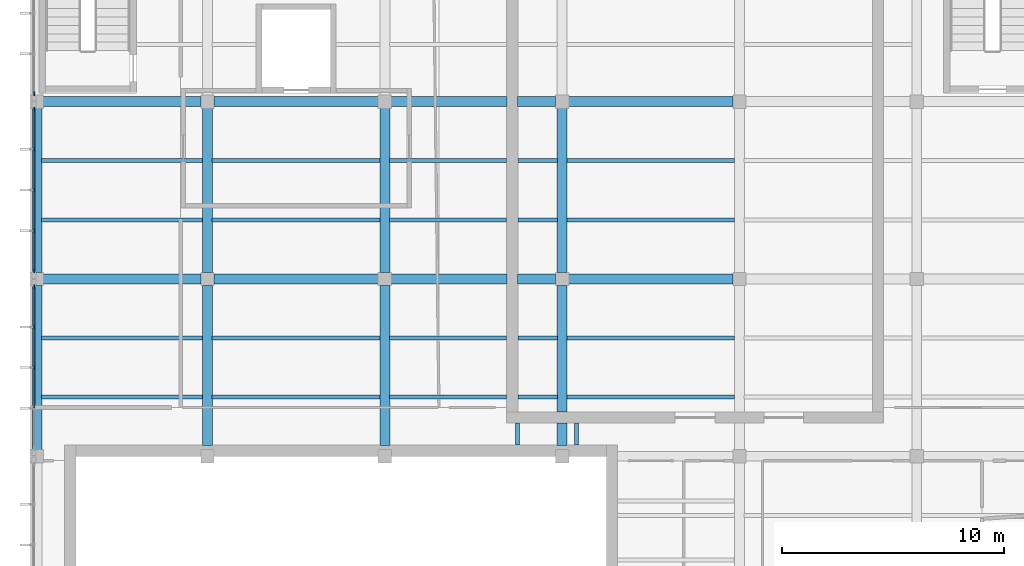
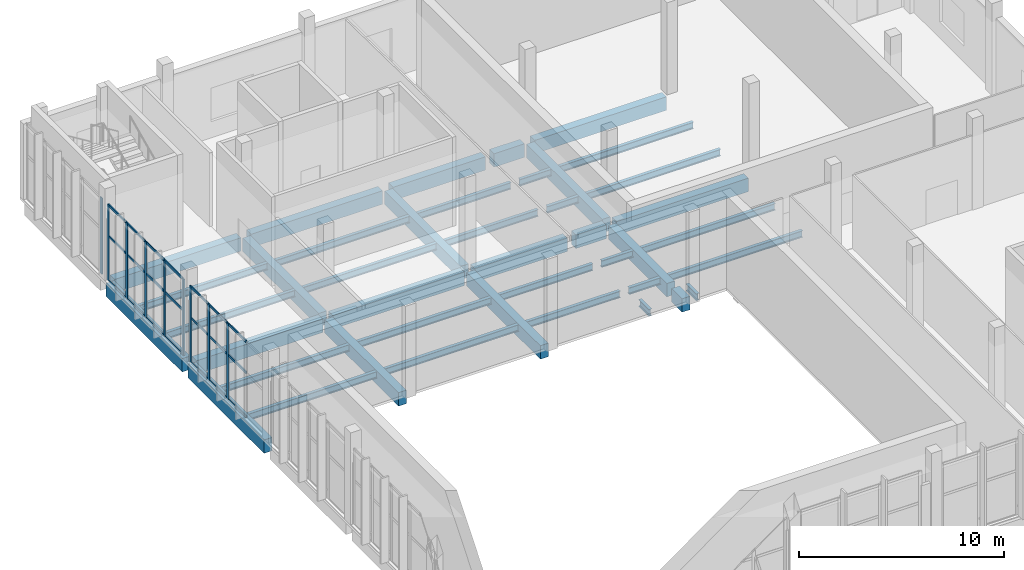
# One storey, part 18 of 112: 41 beams, 30 members, 3 elements without a shape of their own.
"""IFC4 building model written with IfcOpenShell, lengths in metres."""

import ifcopenshell
import ifcopenshell.guid

model = None  # the IFC model being written
_history = None  # IfcOwnerHistory: only IFC2X3 demands one
_inside = {}  # id of a spatial element -> (the spatial element, [elements in it])
_under = {}  # id of a project, library or spatial element -> (it, [spatial elements below it])
_declared = {}  # id of a project -> (the project, [libraries it declares])
_typed = {}  # id of a type object -> (the type object, [elements of that type])
_made_of = {}  # id of a material, layer set ... -> (it, [elements and type objects made of it])


def new_model(schema):
    """Start an empty IFC model of exactly this schema.

    Asked for "IFC4X3", IfcOpenShell would pick the latest addendum, in which some entities
    have other attributes; the version numbers below select the first issue.
    IFC2X3 requires an IfcOwnerHistory on every rooted entity: one is made here for all.
    """
    global model, _history
    if schema == "IFC4X3":
        model = ifcopenshell.file(schema_version=(4, 3, 0, 0))
    else:
        model = ifcopenshell.file(schema=schema)
    _inside.clear()
    _under.clear()
    _declared.clear()
    _typed.clear()
    _made_of.clear()
    _history = None
    if model.schema == "IFC2X3":
        org = make("IfcOrganization", Name="unknown")
        user = make(
            "IfcPersonAndOrganization",
            ThePerson=make("IfcPerson", FamilyName="unknown"),
            TheOrganization=org,
        )
        app = make(
            "IfcApplication",
            ApplicationDeveloper=org,
            Version="unknown",
            ApplicationFullName="unknown",
            ApplicationIdentifier="unknown",
        )
        _history = make(
            "IfcOwnerHistory",
            OwningUser=user,
            OwningApplication=app,
            ChangeAction="ADDED",
            CreationDate=0,
        )
    return model


def make(cls, **values):
    """One entity of the class cls with the attributes given. An attribute that is None is left unset."""
    return model.create_entity(
        cls, **{name: value for name, value in values.items() if value is not None}
    )


def rooted(cls, **values):
    """An entity with a GlobalId (a new one), such as an element, a storey or a relation."""
    return make(cls, GlobalId=ifcopenshell.guid.new(), OwnerHistory=_history, **values)


def si_unit(unit_type, name, prefix=None):
    """IfcSIUnit, for example si_unit("LENGTHUNIT", "METRE", prefix="MILLI")."""
    return make("IfcSIUnit", UnitType=unit_type, Prefix=prefix, Name=name)


def assignment(units):
    """IfcUnitAssignment: the units of a project."""
    return None if units is None else make("IfcUnitAssignment", Units=units)


def point(xyz):
    """IfcCartesianPoint."""
    return None if xyz is None else make("IfcCartesianPoint", Coordinates=xyz)


def direction(xyz):
    """IfcDirection."""
    return None if xyz is None else make("IfcDirection", DirectionRatios=xyz)


def frame(location, z_axis=None, x_axis=None):
    """IfcAxis2Placement3D, a coordinate frame: its origin and axes. An axis left out is left unset."""
    return make(
        "IfcAxis2Placement3D",
        Location=point(location),
        Axis=direction(z_axis),
        RefDirection=direction(x_axis),
    )


def frame_2d(location, x_axis=None):
    """IfcAxis2Placement2D, a coordinate frame in the plane: its origin and x axis."""
    return make(
        "IfcAxis2Placement2D", Location=point(location), RefDirection=direction(x_axis)
    )


def origin():
    """The frame at (0, 0, 0) with its axes left unset."""
    return frame((0.0, 0.0, 0.0))


def origin_2d():
    """The frame at (0, 0) in the plane with its x axis left unset."""
    return frame_2d((0.0, 0.0))


def place(relative_to, where):
    """IfcLocalPlacement: puts the frame where relative to a parent placement (None: the world)."""
    return make(
        "IfcLocalPlacement", PlacementRelTo=relative_to, RelativePlacement=where
    )


def context(
    kind, dimensions, precision=None, world=None, true_north=None, identifier=None
):
    """IfcGeometricRepresentationContext, for example the 3D "Model" context."""
    return make(
        "IfcGeometricRepresentationContext",
        ContextIdentifier=identifier,
        ContextType=kind,
        CoordinateSpaceDimension=dimensions,
        Precision=precision,
        WorldCoordinateSystem=world,
        TrueNorth=true_north,
    )


def subcontext(parent, identifier, kind, view, scale=None):
    """IfcGeometricRepresentationSubContext, for example "Body" below "Model"."""
    return make(
        "IfcGeometricRepresentationSubContext",
        ContextIdentifier=identifier,
        ContextType=kind,
        ParentContext=parent,
        TargetScale=scale,
        TargetView=view,
    )


def project(units=None, contexts=None):
    """IfcProject with its units and contexts."""
    return rooted(
        "IfcProject",
        Name="project",
        RepresentationContexts=contexts,
        UnitsInContext=assignment(units),
    )


def spatial(cls, under=None, at=None, **own):
    """A site, building, storey or space (cls), placed at a placement, below another one or the project."""
    s = rooted(cls, ObjectPlacement=at, **own)
    if under is not None:
        _under.setdefault(under.id(), (under, []))[1].append(s)
    return s


def profile(cls, at=None, kind="AREA", **sizes):
    """A parametric profile (cls). Its sizes go by their IFC names, for example OverallWidth=200.0."""
    return make(cls, ProfileType=kind, Position=at, **sizes)


def rectangle(**sizes):
    """IfcRectangleProfileDef."""
    return profile("IfcRectangleProfileDef", **sizes)


def i_section(**sizes):
    """IfcIShapeProfileDef."""
    return profile("IfcIShapeProfileDef", **sizes)


def extrude(swept, where, along, depth):
    """IfcExtrudedAreaSolid: the profile swept, set in the frame where, extruded along a direction by depth."""
    return make(
        "IfcExtrudedAreaSolid",
        SweptArea=swept,
        Position=where,
        ExtrudedDirection=direction(along),
        Depth=depth,
    )


def shape(context_of_items, identifier, shape_type, items):
    """IfcShapeRepresentation: the items that make up one representation, for example the "Body"."""
    return make(
        "IfcShapeRepresentation",
        ContextOfItems=context_of_items,
        RepresentationIdentifier=identifier,
        RepresentationType=shape_type,
        Items=items,
    )


def material(Name=None, Category=None):
    """IfcMaterial."""
    return make("IfcMaterial", Name=Name, Category=Category)


def layer(
    of_material, thickness, ventilated=None, Name=None, Category=None, Priority=None
):
    """IfcMaterialLayer: one layer of a wall or slab, of a material (None: an air gap)."""
    return make(
        "IfcMaterialLayer",
        Material=of_material,
        LayerThickness=thickness,
        IsVentilated=ventilated,
        Name=Name,
        Category=Category,
        Priority=Priority,
    )


def layer_set(layers, Name=None):
    """IfcMaterialLayerSet."""
    return make("IfcMaterialLayerSet", MaterialLayers=layers, LayerSetName=Name)


def material_profile(
    of_material, cross_section, Name=None, Category=None, Priority=None
):
    """IfcMaterialProfile: a cross section and its material."""
    return make(
        "IfcMaterialProfile",
        Name=Name,
        Material=of_material,
        Profile=cross_section,
        Priority=Priority,
        Category=Category,
    )


def profile_set(profiles, Name=None, composite=None):
    """IfcMaterialProfileSet."""
    return make(
        "IfcMaterialProfileSet",
        Name=Name,
        MaterialProfiles=profiles,
        CompositeProfile=composite,
    )


def made_of(thing, what):
    """Note that an element or type object is made of a material, layer set ...; save() writes the relation."""
    if what is not None:
        _made_of.setdefault(what.id(), (what, []))[1].append(thing)
    return thing


def type_object(cls, material=None, **own):
    """A type object (cls), such as IfcWallType, which elements share."""
    return made_of(rooted(cls, **own), material)


def element(
    cls,
    number,
    at=None,
    inside=None,
    cuts=None,
    type_object=None,
    material=None,
    context=None,
    identifier="Body",
    shape_type=None,
    held_by="IfcProductDefinitionShape",
    body=None,
    shapes=None,
    **own,
):
    """One element of the class cls, such as IfcWall. Its Tag is "e" and its number.

    at: its placement. inside: the storey or other place that contains it. cuts: it is an
    opening in that element (IfcRelVoidsElement). A single representation is given by context,
    identifier, shape_type and body (its items); several are given by shapes. held_by: the class
    of the entity that holds the representations. save() writes the other relations.
    """
    e = rooted(cls, Tag="e%d" % number, ObjectPlacement=at, **own)
    if body is not None:
        shapes = [shape(context, identifier, shape_type, body)]
    if shapes is not None:
        e.Representation = make(held_by, Representations=shapes)
    if inside is not None:
        _inside.setdefault(inside.id(), (inside, []))[1].append(e)
    if cuts is not None:
        rooted(
            "IfcRelVoidsElement", RelatingBuildingElement=cuts, RelatedOpeningElement=e
        )
    if type_object is not None:
        _typed.setdefault(type_object.id(), (type_object, []))[1].append(e)
    return made_of(e, material)


def aggregate(whole, parts):
    """IfcRelAggregates: a whole, such as a stair, and the parts it consists of."""
    return rooted("IfcRelAggregates", RelatingObject=whole, RelatedObjects=parts)


def save(model, path):
    """Write the relations noted so far, then the file.

    IfcRelAggregates (storeys below a building ...), IfcRelContainedInSpatialStructure (elements
    in a storey), IfcRelDefinesByType, IfcRelAssociatesMaterial and IfcRelDeclares: one each for
    every whole, place, type object, material and project.
    """
    for whole, parts in _under.values():
        aggregate(whole, parts)
    for where, things in _inside.values():
        rooted(
            "IfcRelContainedInSpatialStructure",
            RelatedElements=things,
            RelatingStructure=where,
        )
    for kind, things in _typed.values():
        rooted("IfcRelDefinesByType", RelatedObjects=things, RelatingType=kind)
    for what, things in _made_of.values():
        rooted("IfcRelAssociatesMaterial", RelatedObjects=things, RelatingMaterial=what)
    for by, libraries in _declared.values():
        rooted("IfcRelDeclares", RelatingContext=by, RelatedDefinitions=libraries)
    model.write(path)


model = new_model("IFC4")

# Units and contexts
model_context = context("Model", 3, precision=1e-05, world=origin(), true_north=direction((0.0, 1.0)))
body_context = subcontext(model_context, "Body", "Model", "MODEL_VIEW")
ifc_project = project(units=[si_unit("LENGTHUNIT", "METRE"), si_unit("AREAUNIT", "SQUARE_METRE"), si_unit("VOLUMEUNIT", "CUBIC_METRE"), si_unit("PLANEANGLEUNIT", "RADIAN"), si_unit("MASSUNIT", "GRAM", prefix="KILO")], contexts=[model_context])

# Site, building, storey
site_placement = place(None, origin())
site = spatial("IfcSite", under=ifc_project, at=site_placement, CompositionType="ELEMENT")
building_placement = place(site_placement, origin())
building = spatial("IfcBuilding", under=site, at=building_placement, Name="Lunette Opera House", CompositionType="ELEMENT")
storey_placement = place(building_placement, frame((0.0, 0.0, 6.0)))
storey = spatial("IfcBuildingStorey", under=building, at=storey_placement, Name="L01", CompositionType="ELEMENT", Elevation=6.0)

# Curtain wall, member
ifc_material_1 = material(Name="Aluminium", Category="aluminium")
ifc_layer = layer(ifc_material_1, 0.179931640625)
ifc_layer_set = layer_set([ifc_layer], Name="Aluminium")
curtain_wall_type = type_object("IfcCurtainWallType", Name="SUN FACE CURTAIN WALL", PredefinedType="NOTDEFINED", material=ifc_layer_set)
curtain_wall_1_placement = place(storey_placement, origin())
curtain_wall_1 = element("IfcCurtainWall", 1, at=curtain_wall_1_placement, inside=storey, type_object=curtain_wall_type, Name="Sun Face Curtain Wall F13 L01", PredefinedType="NOTDEFINED")
ifc_material_2 = material(Name="Aluminium", Category="aluminium")
ifc_material_profile_1 = material_profile(ifc_material_2, rectangle(XDim=0.06005859375, YDim=0.179931640625, at=origin_2d()), Name="MULLION 60 X 180")
ifc_profile_set_1 = profile_set([ifc_material_profile_1], Name="Aluminium")
member_type_1 = type_object("IfcMemberType", Name="MULLION 60 X 180", PredefinedType="MULLION", material=ifc_profile_set_1)
member_1_placement = place(storey_placement, frame((8.181884765625, 104.360107421875, 0.0), z_axis=(0.0, 0.0, 1.0), x_axis=(1.0, 0.0, 0.0)))
member_1 = element("IfcMember", 2, at=member_1_placement, type_object=member_type_1, Name="RW-X2015 mullion 5", PredefinedType="MULLION", context=body_context, shape_type="SweptSolid", body=[
    extrude(rectangle(XDim=0.06005859375, YDim=0.179931640625, at=origin_2d()), origin(), (0.0, 0.0, 1.0), 4.550048828125),
])
aggregate(curtain_wall_1, [member_1])

# Curtain wall, members
curtain_wall_2_placement = place(storey_placement, origin())
curtain_wall_2 = element("IfcCurtainWall", 3, at=curtain_wall_2_placement, inside=storey, type_object=curtain_wall_type, Name="Sun Face Curtain Wall F14 L01", PredefinedType="NOTDEFINED")
member_2_placement = place(storey_placement, frame((8.181884765625, 103.666015625, 0.0), z_axis=(0.0, 0.0, 1.0), x_axis=(1.0, 0.0, 0.0)))
member_2 = element("IfcMember", 4, at=member_2_placement, type_object=member_type_1, Name="RW-X2016 mullion 1", PredefinedType="MULLION", context=body_context, shape_type="SweptSolid", body=[
    extrude(rectangle(XDim=0.06005859375, YDim=0.179931640625, at=origin_2d()), origin(), (0.0, 0.0, 1.0), 4.550048828125),
])
member_3_placement = place(storey_placement, frame((8.181884765625, 101.8544921875, 0.0), z_axis=(0.0, 0.0, 1.0), x_axis=(1.0, 0.0, 0.0)))
member_3 = element("IfcMember", 5, at=member_3_placement, type_object=member_type_1, Name="RW-X2016 mullion 2", PredefinedType="MULLION", context=body_context, shape_type="SweptSolid", body=[
    extrude(rectangle(XDim=0.06005859375, YDim=0.179931640625, at=origin_2d()), origin(), (0.0, 0.0, 1.0), 4.550048828125),
])
member_4_placement = place(storey_placement, frame((8.181884765625, 100.012939453125, 0.0), z_axis=(0.0, 0.0, 1.0), x_axis=(1.0, 0.0, 0.0)))
member_4 = element("IfcMember", 6, at=member_4_placement, type_object=member_type_1, Name="RW-X2016 mullion 3", PredefinedType="MULLION", context=body_context, shape_type="SweptSolid", body=[
    extrude(rectangle(XDim=0.06005859375, YDim=0.179931640625, at=origin_2d()), origin(), (0.0, 0.0, 1.0), 4.550048828125),
])
member_5_placement = place(storey_placement, frame((8.181884765625, 98.17138671875, 0.0), z_axis=(0.0, 0.0, 1.0), x_axis=(1.0, 0.0, 0.0)))
member_5 = element("IfcMember", 7, at=member_5_placement, type_object=member_type_1, Name="RW-X2016 mullion 4", PredefinedType="MULLION", context=body_context, shape_type="SweptSolid", body=[
    extrude(rectangle(XDim=0.06005859375, YDim=0.179931640625, at=origin_2d()), origin(), (0.0, 0.0, 1.0), 4.550048828125),
])
member_6_placement = place(storey_placement, frame((8.181884765625, 96.360107421875, 0.0), z_axis=(0.0, 0.0, 1.0), x_axis=(1.0, 0.0, 0.0)))
member_6 = element("IfcMember", 8, at=member_6_placement, type_object=member_type_1, Name="RW-X2016 mullion 5", PredefinedType="MULLION", context=body_context, shape_type="SweptSolid", body=[
    extrude(rectangle(XDim=0.06005859375, YDim=0.179931640625, at=origin_2d()), origin(), (0.0, 0.0, 1.0), 4.550048828125),
])

curtain_wall_3_placement = place(storey_placement, origin())
curtain_wall_3 = element("IfcCurtainWall", 9, at=curtain_wall_3_placement, inside=storey, type_object=curtain_wall_type, Name="Sun Face Curtain Wall F15 L01", PredefinedType="NOTDEFINED")
member_7_placement = place(storey_placement, frame((8.181884765625, 95.639892578125, 0.0), z_axis=(0.0, 0.0, 1.0), x_axis=(1.0, 0.0, 0.0)))
member_7 = element("IfcMember", 10, at=member_7_placement, type_object=member_type_1, Name="RW-X2017 mullion 1", PredefinedType="MULLION", context=body_context, shape_type="SweptSolid", body=[
    extrude(rectangle(XDim=0.06005859375, YDim=0.179931640625, at=origin_2d()), origin(), (0.0, 0.0, 1.0), 4.550048828125),
])
member_8_placement = place(storey_placement, frame((8.181884765625, 93.8349609375, 0.0), z_axis=(0.0, 0.0, 1.0), x_axis=(1.0, 0.0, 0.0)))
member_8 = element("IfcMember", 11, at=member_8_placement, type_object=member_type_1, Name="RW-X2017 mullion 2", PredefinedType="MULLION", context=body_context, shape_type="SweptSolid", body=[
    extrude(rectangle(XDim=0.06005859375, YDim=0.179931640625, at=origin_2d()), origin(), (0.0, 0.0, 1.0), 4.550048828125),
])
member_9_placement = place(storey_placement, frame((8.181884765625, 92.0, 0.0), z_axis=(0.0, 0.0, 1.0), x_axis=(1.0, 0.0, 0.0)))
member_9 = element("IfcMember", 12, at=member_9_placement, type_object=member_type_1, Name="RW-X2017 mullion 3", PredefinedType="MULLION", context=body_context, shape_type="SweptSolid", body=[
    extrude(rectangle(XDim=0.06005859375, YDim=0.179931640625, at=origin_2d()), origin(), (0.0, 0.0, 1.0), 4.550048828125),
])

# Beams
ifc_material_3 = material(Name="Concrete C35/45", Category="concrete")
ifc_material_profile_2 = material_profile(ifc_material_3, rectangle(XDim=0.449951171875, YDim=0.800048828125, at=origin_2d()), Name="RC BEAM 450X800")
ifc_profile_set_2 = profile_set([ifc_material_profile_2], Name="Concrete C35/45")
beam_type_1 = type_object("IfcBeamType", Name="RC BEAM 450X800", PredefinedType="BEAM", material=ifc_profile_set_2)
for number, where, z_axis, x_axis, name in (
    (13, (8.300048828125, 88.2900390625, -0.550048828125), (0.0, 1.0, 0.0), (-1.0, 0.0, 0.0), "beam-RW-L01-L01-GY03"),
    (14, (8.300048828125, 96.2900390625, -0.550048828125), (0.0, 1.0, 0.0), (-1.0, 0.0, 0.0), "beam-RW-L01-L01-GY04"),
):
    element("IfcBeam", number, at=place(storey_placement, frame(where, z_axis=z_axis, x_axis=x_axis)), inside=storey, type_object=beam_type_1, Name=name, PredefinedType="BEAM", context=body_context, shape_type="SweptSolid", body=[
        extrude(rectangle(XDim=0.449951171875, YDim=0.800048828125, at=origin_2d()), origin(), (0.0, 0.0, 1.0), 7.419921875),
    ])
beam_1_placement = place(storey_placement, frame((16.0, 88.489990234375, -0.550048828125), z_axis=(0.0, 1.0, 0.0), x_axis=(-1.0, 0.0, 0.0)))
element("IfcBeam", 15, at=beam_1_placement, inside=storey, type_object=beam_type_1, Name="beam-RW-L01-L01-GY13", PredefinedType="BEAM", context=body_context, shape_type="SweptSolid", body=[
    extrude(rectangle(XDim=0.449951171875, YDim=0.800048828125, at=origin_2d()), origin(), (0.0, 0.0, 1.0), 7.219970703125),
])
beam_2_placement = place(storey_placement, frame((16.0, 96.2900390625, -0.550048828125), z_axis=(0.0, 1.0, 0.0), x_axis=(-1.0, 0.0, 0.0)))
element("IfcBeam", 16, at=beam_2_placement, inside=storey, type_object=beam_type_1, Name="beam-RW-L01-L01-GY14", PredefinedType="BEAM", context=body_context, shape_type="SweptSolid", body=[
    extrude(rectangle(XDim=0.449951171875, YDim=0.800048828125, at=origin_2d()), origin(), (0.0, 0.0, 1.0), 7.419921875),
])
beam_3_placement = place(storey_placement, frame((24.0, 88.489990234375, -0.550048828125), z_axis=(0.0, 1.0, 0.0), x_axis=(-1.0, 0.0, 0.0)))
element("IfcBeam", 17, at=beam_3_placement, inside=storey, type_object=beam_type_1, Name="beam-RW-L01-L01-GY23", PredefinedType="BEAM", context=body_context, shape_type="SweptSolid", body=[
    extrude(rectangle(XDim=0.449951171875, YDim=0.800048828125, at=origin_2d()), origin(), (0.0, 0.0, 1.0), 7.219970703125),
])
beam_4_placement = place(storey_placement, frame((24.0, 96.2900390625, -0.550048828125), z_axis=(0.0, 1.0, 0.0), x_axis=(-1.0, 0.0, 0.0)))
element("IfcBeam", 18, at=beam_4_placement, inside=storey, type_object=beam_type_1, Name="beam-RW-L01-L01-GY24", PredefinedType="BEAM", context=body_context, shape_type="SweptSolid", body=[
    extrude(rectangle(XDim=0.449951171875, YDim=0.800048828125, at=origin_2d()), origin(), (0.0, 0.0, 1.0), 7.419921875),
])
beam_5_placement = place(storey_placement, frame((32.0, 88.489990234375, -0.550048828125), z_axis=(0.0, 1.0, 0.0), x_axis=(-1.0, 0.0, 0.0)))
element("IfcBeam", 19, at=beam_5_placement, inside=storey, type_object=beam_type_1, Name="beam-RW-L01-L01-GY33", PredefinedType="BEAM", context=body_context, shape_type="SweptSolid", body=[
    extrude(rectangle(XDim=0.449951171875, YDim=0.800048828125, at=origin_2d()), origin(), (0.0, 0.0, 1.0), 1.02001953125),
])
beam_6_placement = place(storey_placement, frame((32.0, 89.989990234375, -0.550048828125), z_axis=(0.0, 1.0, 0.0), x_axis=(-1.0, 0.0, 0.0)))
element("IfcBeam", 20, at=beam_6_placement, inside=storey, type_object=beam_type_1, Name="beam-RW-L01-L01-GY33-1", PredefinedType="BEAM", context=body_context, shape_type="SweptSolid", body=[
    extrude(rectangle(XDim=0.449951171875, YDim=0.800048828125, at=origin_2d()), origin(), (0.0, 0.0, 1.0), 5.719970703125),
])
beam_7_placement = place(storey_placement, frame((32.0, 96.2900390625, -0.550048828125), z_axis=(0.0, 1.0, 0.0), x_axis=(-1.0, 0.0, 0.0)))
element("IfcBeam", 21, at=beam_7_placement, inside=storey, type_object=beam_type_1, Name="beam-RW-L01-L01-GY34", PredefinedType="BEAM", context=body_context, shape_type="SweptSolid", body=[
    extrude(rectangle(XDim=0.449951171875, YDim=0.800048828125, at=origin_2d()), origin(), (0.0, 0.0, 1.0), 7.419921875),
])
beam_8_placement = place(storey_placement, frame((8.590087890625, 96.0, -0.550048828125), z_axis=(1.0, 0.0, 0.0), x_axis=(0.0, 1.0, 0.0)))
element("IfcBeam", 22, at=beam_8_placement, inside=storey, type_object=beam_type_1, Name="beam-RW-L01-L01-GX04", PredefinedType="BEAM", context=body_context, shape_type="SweptSolid", body=[
    extrude(rectangle(XDim=0.449951171875, YDim=0.800048828125, at=origin_2d()), origin(), (0.0, 0.0, 1.0), 7.119873046875),
])
beam_9_placement = place(storey_placement, frame((16.2900390625, 96.0, -0.550048828125), z_axis=(1.0, 0.0, 0.0), x_axis=(0.0, 1.0, 0.0)))
element("IfcBeam", 23, at=beam_9_placement, inside=storey, type_object=beam_type_1, Name="beam-RW-L01-L01-GX14", PredefinedType="BEAM", context=body_context, shape_type="SweptSolid", body=[
    extrude(rectangle(XDim=0.449951171875, YDim=0.800048828125, at=origin_2d()), origin(), (0.0, 0.0, 1.0), 7.419921875),
])
beam_10_placement = place(storey_placement, frame((24.2900390625, 96.0, -0.550048828125), z_axis=(1.0, 0.0, 0.0), x_axis=(0.0, 1.0, 0.0)))
element("IfcBeam", 24, at=beam_10_placement, inside=storey, type_object=beam_type_1, Name="beam-RW-L01-L01-GX24", PredefinedType="BEAM", context=body_context, shape_type="SweptSolid", body=[
    extrude(rectangle(XDim=0.449951171875, YDim=0.800048828125, at=origin_2d()), origin(), (0.0, 0.0, 1.0), 5.219970703125),
])
beam_11_placement = place(storey_placement, frame((29.989990234375, 96.0, -0.550048828125), z_axis=(1.0, 0.0, 0.0), x_axis=(0.0, 1.0, 0.0)))
element("IfcBeam", 25, at=beam_11_placement, inside=storey, type_object=beam_type_1, Name="beam-RW-L01-L01-GX24-1", PredefinedType="BEAM", context=body_context, shape_type="SweptSolid", body=[
    extrude(rectangle(XDim=0.449951171875, YDim=0.800048828125, at=origin_2d()), origin(), (0.0, 0.0, 1.0), 1.719970703125),
])
beam_12_placement = place(storey_placement, frame((32.2900390625, 96.0, -0.550048828125), z_axis=(1.0, 0.0, 0.0), x_axis=(0.0, 1.0, 0.0)))
element("IfcBeam", 26, at=beam_12_placement, inside=storey, type_object=beam_type_1, Name="beam-RW-L01-L01-GX34", PredefinedType="BEAM", context=body_context, shape_type="SweptSolid", body=[
    extrude(rectangle(XDim=0.449951171875, YDim=0.800048828125, at=origin_2d()), origin(), (0.0, 0.0, 1.0), 7.419921875),
])
beam_13_placement = place(storey_placement, frame((8.590087890625, 104.0, -0.550048828125), z_axis=(1.0, 0.0, 0.0), x_axis=(0.0, 1.0, 0.0)))
element("IfcBeam", 27, at=beam_13_placement, inside=storey, type_object=beam_type_1, Name="beam-RW-L01-L01-GX05", PredefinedType="BEAM", context=body_context, shape_type="SweptSolid", body=[
    extrude(rectangle(XDim=0.449951171875, YDim=0.800048828125, at=origin_2d()), origin(), (0.0, 0.0, 1.0), 7.119873046875),
])
beam_14_placement = place(storey_placement, frame((16.2900390625, 104.0, -0.550048828125), z_axis=(1.0, 0.0, 0.0), x_axis=(0.0, 1.0, 0.0)))
element("IfcBeam", 28, at=beam_14_placement, inside=storey, type_object=beam_type_1, Name="beam-RW-L01-L01-GX15", PredefinedType="BEAM", context=body_context, shape_type="SweptSolid", body=[
    extrude(rectangle(XDim=0.449951171875, YDim=0.800048828125, at=origin_2d()), origin(), (0.0, 0.0, 1.0), 7.419921875),
])
beam_15_placement = place(storey_placement, frame((24.2900390625, 104.0, -0.550048828125), z_axis=(1.0, 0.0, 0.0), x_axis=(0.0, 1.0, 0.0)))
element("IfcBeam", 29, at=beam_15_placement, inside=storey, type_object=beam_type_1, Name="beam-RW-L01-L01-GX25", PredefinedType="BEAM", context=body_context, shape_type="SweptSolid", body=[
    extrude(rectangle(XDim=0.449951171875, YDim=0.800048828125, at=origin_2d()), origin(), (0.0, 0.0, 1.0), 5.219970703125),
])
beam_16_placement = place(storey_placement, frame((29.989990234375, 104.0, -0.550048828125), z_axis=(1.0, 0.0, 0.0), x_axis=(0.0, 1.0, 0.0)))
element("IfcBeam", 30, at=beam_16_placement, inside=storey, type_object=beam_type_1, Name="beam-RW-L01-L01-GX25-1", PredefinedType="BEAM", context=body_context, shape_type="SweptSolid", body=[
    extrude(rectangle(XDim=0.449951171875, YDim=0.800048828125, at=origin_2d()), origin(), (0.0, 0.0, 1.0), 1.719970703125),
])
beam_17_placement = place(storey_placement, frame((32.2900390625, 104.0, -0.550048828125), z_axis=(1.0, 0.0, 0.0), x_axis=(0.0, 1.0, 0.0)))
element("IfcBeam", 31, at=beam_17_placement, inside=storey, type_object=beam_type_1, Name="beam-RW-L01-L01-GX35", PredefinedType="BEAM", context=body_context, shape_type="SweptSolid", body=[
    extrude(rectangle(XDim=0.449951171875, YDim=0.800048828125, at=origin_2d()), origin(), (0.0, 0.0, 1.0), 7.419921875),
])
ifc_material_4 = material(Name="Steel S355", Category="steel")
ifc_material_profile_3 = material_profile(ifc_material_4, i_section(OverallWidth=0.179931640625, OverallDepth=0.39990234375, WebThickness=0.008544921875, FlangeThickness=0.013427734375, FilletRadius=0.02099609375, at=origin_2d()), Name="IPE 400")
ifc_profile_set_3 = profile_set([ifc_material_profile_3], Name="Steel S355")
beam_type_2 = type_object("IfcBeamType", Name="STEEL BEAM IPE 400", PredefinedType="BEAM", material=ifc_profile_set_3)
for number, where, z_axis, x_axis, name in (
    (32, (8.514892578125, 90.6669921875, -0.35009765625), (1.0, 0.0, 0.0), (0.0, 1.0, 0.0), "beam-RW-L01-L01-SX031"),
    (33, (8.514892578125, 93.3330078125, -0.35009765625), (1.0, 0.0, 0.0), (0.0, 1.0, 0.0), "beam-RW-L01-L01-SX032"),
    (34, (8.514892578125, 98.6669921875, -0.35009765625), (1.0, 0.0, 0.0), (0.0, 1.0, 0.0), "beam-RW-L01-L01-SX041"),
    (35, (8.514892578125, 101.3330078125, -0.35009765625), (1.0, 0.0, 0.0), (0.0, 1.0, 0.0), "beam-RW-L01-L01-SX042"),
):
    element("IfcBeam", number, at=place(storey_placement, frame(where, z_axis=z_axis, x_axis=x_axis)), inside=storey, type_object=beam_type_2, Name=name, PredefinedType="BEAM", context=body_context, shape_type="SweptSolid", body=[
        extrude(i_section(OverallWidth=0.179931640625, OverallDepth=0.39990234375, WebThickness=0.008544921875, FlangeThickness=0.013427734375, FilletRadius=0.02099609375, at=origin_2d()), origin(), (0.0, 0.0, 1.0), 7.27001953125),
    ])
for number, where, z_axis, x_axis, name in (
    (36, (16.215087890625, 90.6669921875, -0.35009765625), (1.0, 0.0, 0.0), (0.0, 1.0, 0.0), "beam-RW-L01-L01-SX131"),
    (37, (16.215087890625, 93.3330078125, -0.35009765625), (1.0, 0.0, 0.0), (0.0, 1.0, 0.0), "beam-RW-L01-L01-SX132"),
    (38, (16.215087890625, 98.6669921875, -0.35009765625), (1.0, 0.0, 0.0), (0.0, 1.0, 0.0), "beam-RW-L01-L01-SX141"),
    (39, (16.215087890625, 101.3330078125, -0.35009765625), (1.0, 0.0, 0.0), (0.0, 1.0, 0.0), "beam-RW-L01-L01-SX142"),
):
    element("IfcBeam", number, at=place(storey_placement, frame(where, z_axis=z_axis, x_axis=x_axis)), inside=storey, type_object=beam_type_2, Name=name, PredefinedType="BEAM", context=body_context, shape_type="SweptSolid", body=[
        extrude(i_section(OverallWidth=0.179931640625, OverallDepth=0.39990234375, WebThickness=0.008544921875, FlangeThickness=0.013427734375, FilletRadius=0.02099609375, at=origin_2d()), origin(), (0.0, 0.0, 1.0), 7.56982421875),
    ])
beam_18_placement = place(storey_placement, frame((24.215087890625, 90.6669921875, -0.35009765625), z_axis=(1.0, 0.0, 0.0), x_axis=(0.0, 1.0, 0.0)))
element("IfcBeam", 40, at=beam_18_placement, inside=storey, type_object=beam_type_2, Name="beam-RW-L01-L01-SX231", PredefinedType="BEAM", context=body_context, shape_type="SweptSolid", body=[
    extrude(i_section(OverallWidth=0.179931640625, OverallDepth=0.39990234375, WebThickness=0.008544921875, FlangeThickness=0.013427734375, FilletRadius=0.02099609375, at=origin_2d()), origin(), (0.0, 0.0, 1.0), 5.284912109375),
])
beam_19_placement = place(storey_placement, frame((30.0, 90.6669921875, -0.35009765625), z_axis=(1.0, 0.0, 0.0), x_axis=(0.0, 1.0, 0.0)))
element("IfcBeam", 41, at=beam_19_placement, inside=storey, type_object=beam_type_2, Name="beam-RW-L01-L01-SX231-01", PredefinedType="BEAM", context=body_context, shape_type="SweptSolid", body=[
    extrude(i_section(OverallWidth=0.179931640625, OverallDepth=0.39990234375, WebThickness=0.008544921875, FlangeThickness=0.013427734375, FilletRadius=0.02099609375, at=origin_2d()), origin(), (0.0, 0.0, 1.0), 1.784912109375),
])
beam_20_placement = place(storey_placement, frame((24.215087890625, 93.3330078125, -0.35009765625), z_axis=(1.0, 0.0, 0.0), x_axis=(0.0, 1.0, 0.0)))
element("IfcBeam", 42, at=beam_20_placement, inside=storey, type_object=beam_type_2, Name="beam-RW-L01-L01-SX232", PredefinedType="BEAM", context=body_context, shape_type="SweptSolid", body=[
    extrude(i_section(OverallWidth=0.179931640625, OverallDepth=0.39990234375, WebThickness=0.008544921875, FlangeThickness=0.013427734375, FilletRadius=0.02099609375, at=origin_2d()), origin(), (0.0, 0.0, 1.0), 5.284912109375),
])
beam_21_placement = place(storey_placement, frame((30.0, 93.3330078125, -0.35009765625), z_axis=(1.0, 0.0, 0.0), x_axis=(0.0, 1.0, 0.0)))
element("IfcBeam", 43, at=beam_21_placement, inside=storey, type_object=beam_type_2, Name="beam-RW-L01-L01-SX232-01", PredefinedType="BEAM", context=body_context, shape_type="SweptSolid", body=[
    extrude(i_section(OverallWidth=0.179931640625, OverallDepth=0.39990234375, WebThickness=0.008544921875, FlangeThickness=0.013427734375, FilletRadius=0.02099609375, at=origin_2d()), origin(), (0.0, 0.0, 1.0), 1.784912109375),
])
beam_22_placement = place(storey_placement, frame((24.215087890625, 98.6669921875, -0.35009765625), z_axis=(1.0, 0.0, 0.0), x_axis=(0.0, 1.0, 0.0)))
element("IfcBeam", 44, at=beam_22_placement, inside=storey, type_object=beam_type_2, Name="beam-RW-L01-L01-SX241", PredefinedType="BEAM", context=body_context, shape_type="SweptSolid", body=[
    extrude(i_section(OverallWidth=0.179931640625, OverallDepth=0.39990234375, WebThickness=0.008544921875, FlangeThickness=0.013427734375, FilletRadius=0.02099609375, at=origin_2d()), origin(), (0.0, 0.0, 1.0), 5.284912109375),
])
beam_23_placement = place(storey_placement, frame((30.0, 98.6669921875, -0.35009765625), z_axis=(1.0, 0.0, 0.0), x_axis=(0.0, 1.0, 0.0)))
element("IfcBeam", 45, at=beam_23_placement, inside=storey, type_object=beam_type_2, Name="beam-RW-L01-L01-SX241-01", PredefinedType="BEAM", context=body_context, shape_type="SweptSolid", body=[
    extrude(i_section(OverallWidth=0.179931640625, OverallDepth=0.39990234375, WebThickness=0.008544921875, FlangeThickness=0.013427734375, FilletRadius=0.02099609375, at=origin_2d()), origin(), (0.0, 0.0, 1.0), 1.784912109375),
])
beam_24_placement = place(storey_placement, frame((24.215087890625, 101.3330078125, -0.35009765625), z_axis=(1.0, 0.0, 0.0), x_axis=(0.0, 1.0, 0.0)))
element("IfcBeam", 46, at=beam_24_placement, inside=storey, type_object=beam_type_2, Name="beam-RW-L01-L01-SX242", PredefinedType="BEAM", context=body_context, shape_type="SweptSolid", body=[
    extrude(i_section(OverallWidth=0.179931640625, OverallDepth=0.39990234375, WebThickness=0.008544921875, FlangeThickness=0.013427734375, FilletRadius=0.02099609375, at=origin_2d()), origin(), (0.0, 0.0, 1.0), 5.284912109375),
])
beam_25_placement = place(storey_placement, frame((30.0, 101.3330078125, -0.35009765625), z_axis=(1.0, 0.0, 0.0), x_axis=(0.0, 1.0, 0.0)))
element("IfcBeam", 47, at=beam_25_placement, inside=storey, type_object=beam_type_2, Name="beam-RW-L01-L01-SX242-01", PredefinedType="BEAM", context=body_context, shape_type="SweptSolid", body=[
    extrude(i_section(OverallWidth=0.179931640625, OverallDepth=0.39990234375, WebThickness=0.008544921875, FlangeThickness=0.013427734375, FilletRadius=0.02099609375, at=origin_2d()), origin(), (0.0, 0.0, 1.0), 1.784912109375),
])
for number, where, z_axis, x_axis, name in (
    (48, (32.215087890625, 90.6669921875, -0.35009765625), (1.0, 0.0, 0.0), (0.0, 1.0, 0.0), "beam-RW-L01-L01-SX331"),
    (49, (32.215087890625, 93.3330078125, -0.35009765625), (1.0, 0.0, 0.0), (0.0, 1.0, 0.0), "beam-RW-L01-L01-SX332"),
    (50, (32.215087890625, 98.6669921875, -0.35009765625), (1.0, 0.0, 0.0), (0.0, 1.0, 0.0), "beam-RW-L01-L01-SX341"),
    (51, (32.215087890625, 101.3330078125, -0.35009765625), (1.0, 0.0, 0.0), (0.0, 1.0, 0.0), "beam-RW-L01-L01-SX342"),
):
    element("IfcBeam", number, at=place(storey_placement, frame(where, z_axis=z_axis, x_axis=x_axis)), inside=storey, type_object=beam_type_2, Name=name, PredefinedType="BEAM", context=body_context, shape_type="SweptSolid", body=[
        extrude(i_section(OverallWidth=0.179931640625, OverallDepth=0.39990234375, WebThickness=0.008544921875, FlangeThickness=0.013427734375, FilletRadius=0.02099609375, at=origin_2d()), origin(), (0.0, 0.0, 1.0), 7.56982421875),
    ])
for number, where, z_axis, x_axis, name in (
    (52, (29.989990234375, 88.5, -0.35009765625), (0.0, 1.0, 0.0), (-1.0, 0.0, 0.0), "beam-RW-L01-L01-RJN10667"),
    (53, (32.659912109375, 88.5, -0.35009765625), (0.0, 1.0, 0.0), (-1.0, 0.0, 0.0), "beam-RW-L01-L01-RJN10668"),
):
    element("IfcBeam", number, at=place(storey_placement, frame(where, z_axis=z_axis, x_axis=x_axis)), inside=storey, type_object=beam_type_2, Name=name, PredefinedType="BEAM", context=body_context, shape_type="SweptSolid", body=[
        extrude(i_section(OverallWidth=0.179931640625, OverallDepth=0.39990234375, WebThickness=0.008544921875, FlangeThickness=0.013427734375, FilletRadius=0.02099609375, at=origin_2d()), origin(), (0.0, 0.0, 1.0), 1.010009765625),
    ])

# Member
ifc_material_5 = material(Name="Aluminium", Category="aluminium")
ifc_material_profile_4 = material_profile(ifc_material_5, rectangle(XDim=0.06005859375, YDim=0.139892578125, at=origin_2d()), Name="TRANSOM 60 X 140")
ifc_profile_set_4 = profile_set([ifc_material_profile_4], Name="Aluminium")
member_type_2 = type_object("IfcMemberType", Name="TRANSOM 60 X 140", PredefinedType="USERDEFINED", material=ifc_profile_set_4)
member_10_placement = place(storey_placement, frame((8.181884765625, 103.635986328125, 0.030029296875), z_axis=(0.0, -1.0, 0.0), x_axis=(1.0, 0.0, 0.0)))
member_10 = element("IfcMember", 54, at=member_10_placement, type_object=member_type_2, Name="RW-X2016 transom 1.1", ObjectType="TRANSOM", PredefinedType="USERDEFINED", context=body_context, shape_type="SweptSolid", body=[
    extrude(rectangle(XDim=0.06005859375, YDim=0.139892578125, at=origin_2d()), origin(), (0.0, 0.0, 1.0), 1.75146484375),
])

member_11_placement = place(storey_placement, frame((8.181884765625, 103.635986328125, 2.675048828125), z_axis=(0.0, -1.0, 0.0), x_axis=(1.0, 0.0, 0.0)))
member_11 = element("IfcMember", 55, at=member_11_placement, type_object=member_type_2, Name="RW-X2016 transom 1.2", ObjectType="TRANSOM", PredefinedType="USERDEFINED", context=body_context, shape_type="SweptSolid", body=[
    extrude(rectangle(XDim=0.06005859375, YDim=0.139892578125, at=origin_2d()), origin(), (0.0, 0.0, 1.0), 1.75146484375),
])

member_12_placement = place(storey_placement, frame((8.181884765625, 103.635986328125, 4.52001953125), z_axis=(0.0, -1.0, 0.0), x_axis=(1.0, 0.0, 0.0)))
member_12 = element("IfcMember", 56, at=member_12_placement, type_object=member_type_2, Name="RW-X2016 transom 1.3", ObjectType="TRANSOM", PredefinedType="USERDEFINED", context=body_context, shape_type="SweptSolid", body=[
    extrude(rectangle(XDim=0.06005859375, YDim=0.139892578125, at=origin_2d()), origin(), (0.0, 0.0, 1.0), 1.75146484375),
])

member_13_placement = place(storey_placement, frame((8.181884765625, 101.824462890625, 0.030029296875), z_axis=(0.0, -1.0, 0.0), x_axis=(1.0, 0.0, 0.0)))
member_13 = element("IfcMember", 57, at=member_13_placement, type_object=member_type_2, Name="RW-X2016 transom 2.1", ObjectType="TRANSOM", PredefinedType="USERDEFINED", context=body_context, shape_type="SweptSolid", body=[
    extrude(rectangle(XDim=0.06005859375, YDim=0.139892578125, at=origin_2d()), origin(), (0.0, 0.0, 1.0), 1.781494140625),
])

member_14_placement = place(storey_placement, frame((8.181884765625, 101.824462890625, 2.675048828125), z_axis=(0.0, -1.0, 0.0), x_axis=(1.0, 0.0, 0.0)))
member_14 = element("IfcMember", 58, at=member_14_placement, type_object=member_type_2, Name="RW-X2016 transom 2.2", ObjectType="TRANSOM", PredefinedType="USERDEFINED", context=body_context, shape_type="SweptSolid", body=[
    extrude(rectangle(XDim=0.06005859375, YDim=0.139892578125, at=origin_2d()), origin(), (0.0, 0.0, 1.0), 1.781494140625),
])

member_15_placement = place(storey_placement, frame((8.181884765625, 101.824462890625, 4.52001953125), z_axis=(0.0, -1.0, 0.0), x_axis=(1.0, 0.0, 0.0)))
member_15 = element("IfcMember", 59, at=member_15_placement, type_object=member_type_2, Name="RW-X2016 transom 2.3", ObjectType="TRANSOM", PredefinedType="USERDEFINED", context=body_context, shape_type="SweptSolid", body=[
    extrude(rectangle(XDim=0.06005859375, YDim=0.139892578125, at=origin_2d()), origin(), (0.0, 0.0, 1.0), 1.781494140625),
])

member_16_placement = place(storey_placement, frame((8.181884765625, 99.98291015625, 0.030029296875), z_axis=(0.0, -1.0, 0.0), x_axis=(1.0, 0.0, 0.0)))
member_16 = element("IfcMember", 60, at=member_16_placement, type_object=member_type_2, Name="RW-X2016 transom 3.1", ObjectType="TRANSOM", PredefinedType="USERDEFINED", context=body_context, shape_type="SweptSolid", body=[
    extrude(rectangle(XDim=0.06005859375, YDim=0.139892578125, at=origin_2d()), origin(), (0.0, 0.0, 1.0), 1.781494140625),
])

member_17_placement = place(storey_placement, frame((8.181884765625, 99.98291015625, 2.675048828125), z_axis=(0.0, -1.0, 0.0), x_axis=(1.0, 0.0, 0.0)))
member_17 = element("IfcMember", 61, at=member_17_placement, type_object=member_type_2, Name="RW-X2016 transom 3.2", ObjectType="TRANSOM", PredefinedType="USERDEFINED", context=body_context, shape_type="SweptSolid", body=[
    extrude(rectangle(XDim=0.06005859375, YDim=0.139892578125, at=origin_2d()), origin(), (0.0, 0.0, 1.0), 1.781494140625),
])

member_18_placement = place(storey_placement, frame((8.181884765625, 99.98291015625, 4.52001953125), z_axis=(0.0, -1.0, 0.0), x_axis=(1.0, 0.0, 0.0)))
member_18 = element("IfcMember", 62, at=member_18_placement, type_object=member_type_2, Name="RW-X2016 transom 3.3", ObjectType="TRANSOM", PredefinedType="USERDEFINED", context=body_context, shape_type="SweptSolid", body=[
    extrude(rectangle(XDim=0.06005859375, YDim=0.139892578125, at=origin_2d()), origin(), (0.0, 0.0, 1.0), 1.781494140625),
])

member_19_placement = place(storey_placement, frame((8.181884765625, 98.1416015625, 0.030029296875), z_axis=(0.0, -1.0, 0.0), x_axis=(1.0, 0.0, 0.0)))
member_19 = element("IfcMember", 63, at=member_19_placement, type_object=member_type_2, Name="RW-X2016 transom 4.1", ObjectType="TRANSOM", PredefinedType="USERDEFINED", context=body_context, shape_type="SweptSolid", body=[
    extrude(rectangle(XDim=0.06005859375, YDim=0.139892578125, at=origin_2d()), origin(), (0.0, 0.0, 1.0), 1.751708984375),
])

member_20_placement = place(storey_placement, frame((8.181884765625, 98.1416015625, 2.675048828125), z_axis=(0.0, -1.0, 0.0), x_axis=(1.0, 0.0, 0.0)))
member_20 = element("IfcMember", 64, at=member_20_placement, type_object=member_type_2, Name="RW-X2016 transom 4.2", ObjectType="TRANSOM", PredefinedType="USERDEFINED", context=body_context, shape_type="SweptSolid", body=[
    extrude(rectangle(XDim=0.06005859375, YDim=0.139892578125, at=origin_2d()), origin(), (0.0, 0.0, 1.0), 1.751708984375),
])

member_21_placement = place(storey_placement, frame((8.181884765625, 98.1416015625, 4.52001953125), z_axis=(0.0, -1.0, 0.0), x_axis=(1.0, 0.0, 0.0)))
member_21 = element("IfcMember", 65, at=member_21_placement, type_object=member_type_2, Name="RW-X2016 transom 4.3", ObjectType="TRANSOM", PredefinedType="USERDEFINED", context=body_context, shape_type="SweptSolid", body=[
    extrude(rectangle(XDim=0.06005859375, YDim=0.139892578125, at=origin_2d()), origin(), (0.0, 0.0, 1.0), 1.751708984375),
])

aggregate(curtain_wall_2, [member_2, member_3, member_4, member_5, member_6, member_10, member_11, member_12, member_13, member_14, member_15, member_16, member_17, member_18, member_19, member_20, member_21])

member_22_placement = place(storey_placement, frame((8.181884765625, 95.610107421875, 0.030029296875), z_axis=(0.0, -1.0, 0.0), x_axis=(1.0, 0.0, 0.0)))
member_22 = element("IfcMember", 66, at=member_22_placement, type_object=member_type_2, Name="RW-X2017 transom 1.1", ObjectType="TRANSOM", PredefinedType="USERDEFINED", context=body_context, shape_type="SweptSolid", body=[
    extrude(rectangle(XDim=0.06005859375, YDim=0.139892578125, at=origin_2d()), origin(), (0.0, 0.0, 1.0), 1.7451171875),
])

member_23_placement = place(storey_placement, frame((8.181884765625, 95.610107421875, 2.675048828125), z_axis=(0.0, -1.0, 0.0), x_axis=(1.0, 0.0, 0.0)))
member_23 = element("IfcMember", 67, at=member_23_placement, type_object=member_type_2, Name="RW-X2017 transom 1.2", ObjectType="TRANSOM", PredefinedType="USERDEFINED", context=body_context, shape_type="SweptSolid", body=[
    extrude(rectangle(XDim=0.06005859375, YDim=0.139892578125, at=origin_2d()), origin(), (0.0, 0.0, 1.0), 1.7451171875),
])

member_24_placement = place(storey_placement, frame((8.181884765625, 95.610107421875, 4.52001953125), z_axis=(0.0, -1.0, 0.0), x_axis=(1.0, 0.0, 0.0)))
member_24 = element("IfcMember", 68, at=member_24_placement, type_object=member_type_2, Name="RW-X2017 transom 1.3", ObjectType="TRANSOM", PredefinedType="USERDEFINED", context=body_context, shape_type="SweptSolid", body=[
    extrude(rectangle(XDim=0.06005859375, YDim=0.139892578125, at=origin_2d()), origin(), (0.0, 0.0, 1.0), 1.7451171875),
])

member_25_placement = place(storey_placement, frame((8.181884765625, 93.804931640625, 0.030029296875), z_axis=(0.0, -1.0, 0.0), x_axis=(1.0, 0.0, 0.0)))
member_25 = element("IfcMember", 69, at=member_25_placement, type_object=member_type_2, Name="RW-X2017 transom 2.1", ObjectType="TRANSOM", PredefinedType="USERDEFINED", context=body_context, shape_type="SweptSolid", body=[
    extrude(rectangle(XDim=0.06005859375, YDim=0.139892578125, at=origin_2d()), origin(), (0.0, 0.0, 1.0), 1.77490234375),
])

member_26_placement = place(storey_placement, frame((8.181884765625, 93.804931640625, 2.675048828125), z_axis=(0.0, -1.0, 0.0), x_axis=(1.0, 0.0, 0.0)))
member_26 = element("IfcMember", 70, at=member_26_placement, type_object=member_type_2, Name="RW-X2017 transom 2.2", ObjectType="TRANSOM", PredefinedType="USERDEFINED", context=body_context, shape_type="SweptSolid", body=[
    extrude(rectangle(XDim=0.06005859375, YDim=0.139892578125, at=origin_2d()), origin(), (0.0, 0.0, 1.0), 1.77490234375),
])

member_27_placement = place(storey_placement, frame((8.181884765625, 93.804931640625, 4.52001953125), z_axis=(0.0, -1.0, 0.0), x_axis=(1.0, 0.0, 0.0)))
member_27 = element("IfcMember", 71, at=member_27_placement, type_object=member_type_2, Name="RW-X2017 transom 2.3", ObjectType="TRANSOM", PredefinedType="USERDEFINED", context=body_context, shape_type="SweptSolid", body=[
    extrude(rectangle(XDim=0.06005859375, YDim=0.139892578125, at=origin_2d()), origin(), (0.0, 0.0, 1.0), 1.77490234375),
])

member_28_placement = place(storey_placement, frame((8.181884765625, 91.969970703125, 0.030029296875), z_axis=(0.0, -1.0, 0.0), x_axis=(1.0, 0.0, 0.0)))
member_28 = element("IfcMember", 72, at=member_28_placement, type_object=member_type_2, Name="RW-X2017 transom 3.1", ObjectType="TRANSOM", PredefinedType="USERDEFINED", context=body_context, shape_type="SweptSolid", body=[
    extrude(rectangle(XDim=0.06005859375, YDim=0.139892578125, at=origin_2d()), origin(), (0.0, 0.0, 1.0), 1.77490234375),
])

member_29_placement = place(storey_placement, frame((8.181884765625, 91.969970703125, 2.675048828125), z_axis=(0.0, -1.0, 0.0), x_axis=(1.0, 0.0, 0.0)))
member_29 = element("IfcMember", 73, at=member_29_placement, type_object=member_type_2, Name="RW-X2017 transom 3.2", ObjectType="TRANSOM", PredefinedType="USERDEFINED", context=body_context, shape_type="SweptSolid", body=[
    extrude(rectangle(XDim=0.06005859375, YDim=0.139892578125, at=origin_2d()), origin(), (0.0, 0.0, 1.0), 1.77490234375),
])

member_30_placement = place(storey_placement, frame((8.181884765625, 91.969970703125, 4.52001953125), z_axis=(0.0, -1.0, 0.0), x_axis=(1.0, 0.0, 0.0)))
member_30 = element("IfcMember", 74, at=member_30_placement, type_object=member_type_2, Name="RW-X2017 transom 3.3", ObjectType="TRANSOM", PredefinedType="USERDEFINED", context=body_context, shape_type="SweptSolid", body=[
    extrude(rectangle(XDim=0.06005859375, YDim=0.139892578125, at=origin_2d()), origin(), (0.0, 0.0, 1.0), 1.77490234375),
])

aggregate(curtain_wall_3, [member_7, member_8, member_9, member_22, member_23, member_24, member_25, member_26, member_27, member_28, member_29, member_30])

save(model, "model.ifc")
